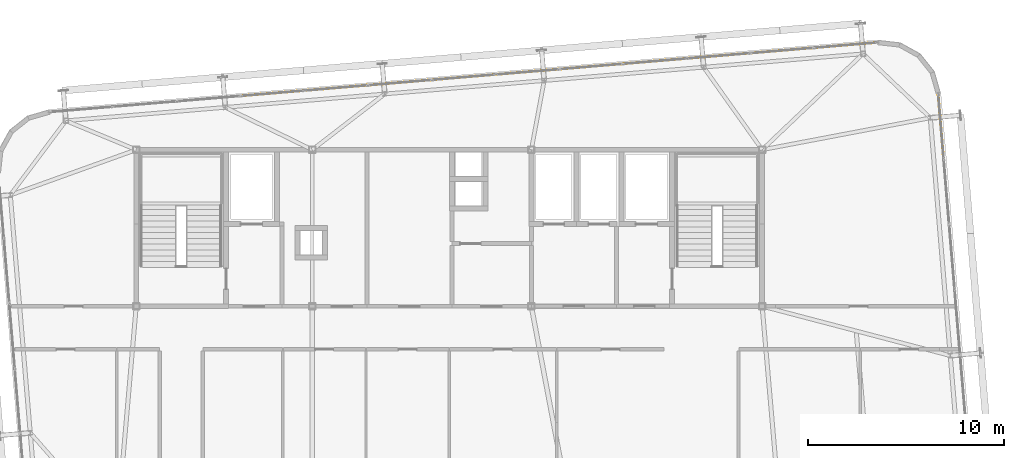
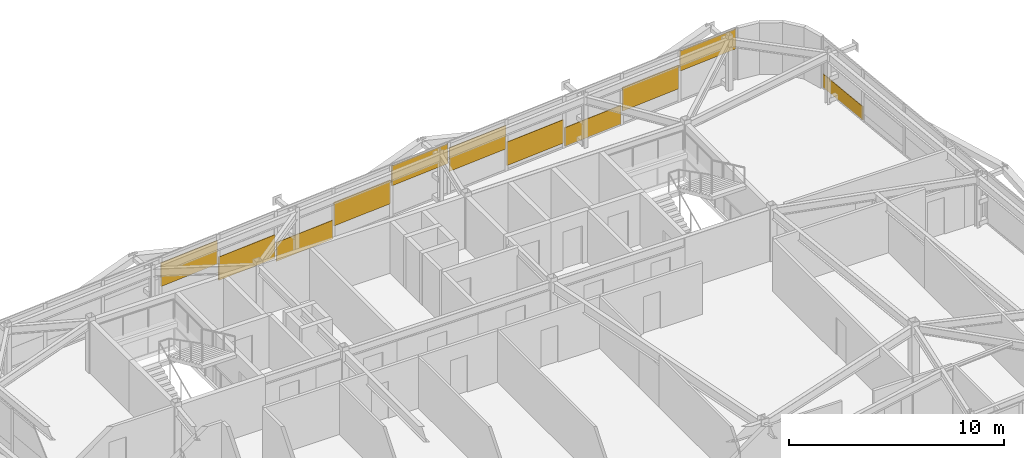
# One storey, part 44 of 44: 11 coverings.
"""IFC4 building model written with IfcOpenShell, lengths in metres."""

import ifcopenshell
import ifcopenshell.guid

model = None  # the IFC model being written
_history = None  # IfcOwnerHistory: only IFC2X3 demands one
_inside = {}  # id of a spatial element -> (the spatial element, [elements in it])
_under = {}  # id of a project, library or spatial element -> (it, [spatial elements below it])
_declared = {}  # id of a project -> (the project, [libraries it declares])
_typed = {}  # id of a type object -> (the type object, [elements of that type])
_made_of = {}  # id of a material, layer set ... -> (it, [elements and type objects made of it])


def new_model(schema):
    """Start an empty IFC model of exactly this schema.

    Asked for "IFC4X3", IfcOpenShell would pick the latest addendum, in which some entities
    have other attributes; the version numbers below select the first issue.
    IFC2X3 requires an IfcOwnerHistory on every rooted entity: one is made here for all.
    """
    global model, _history
    if schema == "IFC4X3":
        model = ifcopenshell.file(schema_version=(4, 3, 0, 0))
    else:
        model = ifcopenshell.file(schema=schema)
    _inside.clear()
    _under.clear()
    _declared.clear()
    _typed.clear()
    _made_of.clear()
    _history = None
    if model.schema == "IFC2X3":
        org = make("IfcOrganization", Name="unknown")
        user = make(
            "IfcPersonAndOrganization",
            ThePerson=make("IfcPerson", FamilyName="unknown"),
            TheOrganization=org,
        )
        app = make(
            "IfcApplication",
            ApplicationDeveloper=org,
            Version="unknown",
            ApplicationFullName="unknown",
            ApplicationIdentifier="unknown",
        )
        _history = make(
            "IfcOwnerHistory",
            OwningUser=user,
            OwningApplication=app,
            ChangeAction="ADDED",
            CreationDate=0,
        )
    return model


def make(cls, **values):
    """One entity of the class cls with the attributes given. An attribute that is None is left unset."""
    return model.create_entity(
        cls, **{name: value for name, value in values.items() if value is not None}
    )


def rooted(cls, **values):
    """An entity with a GlobalId (a new one), such as an element, a storey or a relation."""
    return make(cls, GlobalId=ifcopenshell.guid.new(), OwnerHistory=_history, **values)


def si_unit(unit_type, name, prefix=None):
    """IfcSIUnit, for example si_unit("LENGTHUNIT", "METRE", prefix="MILLI")."""
    return make("IfcSIUnit", UnitType=unit_type, Prefix=prefix, Name=name)


def assignment(units):
    """IfcUnitAssignment: the units of a project."""
    return None if units is None else make("IfcUnitAssignment", Units=units)


def point(xyz):
    """IfcCartesianPoint."""
    return None if xyz is None else make("IfcCartesianPoint", Coordinates=xyz)


def direction(xyz):
    """IfcDirection."""
    return None if xyz is None else make("IfcDirection", DirectionRatios=xyz)


def frame(location, z_axis=None, x_axis=None):
    """IfcAxis2Placement3D, a coordinate frame: its origin and axes. An axis left out is left unset."""
    return make(
        "IfcAxis2Placement3D",
        Location=point(location),
        Axis=direction(z_axis),
        RefDirection=direction(x_axis),
    )


def frame_2d(location, x_axis=None):
    """IfcAxis2Placement2D, a coordinate frame in the plane: its origin and x axis."""
    return make(
        "IfcAxis2Placement2D", Location=point(location), RefDirection=direction(x_axis)
    )


def origin():
    """The frame at (0, 0, 0) with its axes left unset."""
    return frame((0.0, 0.0, 0.0))


def origin_2d():
    """The frame at (0, 0) in the plane with its x axis left unset."""
    return frame_2d((0.0, 0.0))


def place(relative_to, where):
    """IfcLocalPlacement: puts the frame where relative to a parent placement (None: the world)."""
    return make(
        "IfcLocalPlacement", PlacementRelTo=relative_to, RelativePlacement=where
    )


def context(
    kind, dimensions, precision=None, world=None, true_north=None, identifier=None
):
    """IfcGeometricRepresentationContext, for example the 3D "Model" context."""
    return make(
        "IfcGeometricRepresentationContext",
        ContextIdentifier=identifier,
        ContextType=kind,
        CoordinateSpaceDimension=dimensions,
        Precision=precision,
        WorldCoordinateSystem=world,
        TrueNorth=true_north,
    )


def subcontext(parent, identifier, kind, view, scale=None):
    """IfcGeometricRepresentationSubContext, for example "Body" below "Model"."""
    return make(
        "IfcGeometricRepresentationSubContext",
        ContextIdentifier=identifier,
        ContextType=kind,
        ParentContext=parent,
        TargetScale=scale,
        TargetView=view,
    )


def project(units=None, contexts=None):
    """IfcProject with its units and contexts."""
    return rooted(
        "IfcProject",
        Name="project",
        RepresentationContexts=contexts,
        UnitsInContext=assignment(units),
    )


def spatial(cls, under=None, at=None, **own):
    """A site, building, storey or space (cls), placed at a placement, below another one or the project."""
    s = rooted(cls, ObjectPlacement=at, **own)
    if under is not None:
        _under.setdefault(under.id(), (under, []))[1].append(s)
    return s


def profile(cls, at=None, kind="AREA", **sizes):
    """A parametric profile (cls). Its sizes go by their IFC names, for example OverallWidth=200.0."""
    return make(cls, ProfileType=kind, Position=at, **sizes)


def rectangle(**sizes):
    """IfcRectangleProfileDef."""
    return profile("IfcRectangleProfileDef", **sizes)


def extrude(swept, where, along, depth):
    """IfcExtrudedAreaSolid: the profile swept, set in the frame where, extruded along a direction by depth."""
    return make(
        "IfcExtrudedAreaSolid",
        SweptArea=swept,
        Position=where,
        ExtrudedDirection=direction(along),
        Depth=depth,
    )


def shape(context_of_items, identifier, shape_type, items):
    """IfcShapeRepresentation: the items that make up one representation, for example the "Body"."""
    return make(
        "IfcShapeRepresentation",
        ContextOfItems=context_of_items,
        RepresentationIdentifier=identifier,
        RepresentationType=shape_type,
        Items=items,
    )


def source(mapping_origin, context_of_items, identifier, shape_type, items):
    """IfcRepresentationMap: a shape defined once, which mapped items show again and again."""
    return make(
        "IfcRepresentationMap",
        MappingOrigin=mapping_origin,
        MappedRepresentation=shape(context_of_items, identifier, shape_type, items),
    )


def transform(
    local_origin,
    x_axis=None,
    y_axis=None,
    z_axis=None,
    scale=None,
    scale2=None,
    scale3=None,
    uniform=True,
):
    """IfcCartesianTransformationOperator3D, or its non-uniform kind. x_axis, y_axis, z_axis: its Axis1, 2, 3."""
    if uniform:
        return make(
            "IfcCartesianTransformationOperator3D",
            Axis1=direction(x_axis),
            Axis2=direction(y_axis),
            LocalOrigin=point(local_origin),
            Scale=scale,
            Axis3=direction(z_axis),
        )
    return make(
        "IfcCartesianTransformationOperator3DnonUniform",
        Axis1=direction(x_axis),
        Axis2=direction(y_axis),
        LocalOrigin=point(local_origin),
        Scale=scale,
        Axis3=direction(z_axis),
        Scale2=scale2,
        Scale3=scale3,
    )


def mapped(mapping_source, mapping_target):
    """IfcMappedItem: shows the shape of a source again, moved by a transform."""
    return make(
        "IfcMappedItem", MappingSource=mapping_source, MappingTarget=mapping_target
    )


def material(Name=None, Category=None):
    """IfcMaterial."""
    return make("IfcMaterial", Name=Name, Category=Category)


def layer(
    of_material, thickness, ventilated=None, Name=None, Category=None, Priority=None
):
    """IfcMaterialLayer: one layer of a wall or slab, of a material (None: an air gap)."""
    return make(
        "IfcMaterialLayer",
        Material=of_material,
        LayerThickness=thickness,
        IsVentilated=ventilated,
        Name=Name,
        Category=Category,
        Priority=Priority,
    )


def layer_set(layers, Name=None):
    """IfcMaterialLayerSet."""
    return make("IfcMaterialLayerSet", MaterialLayers=layers, LayerSetName=Name)


def made_of(thing, what):
    """Note that an element or type object is made of a material, layer set ...; save() writes the relation."""
    if what is not None:
        _made_of.setdefault(what.id(), (what, []))[1].append(thing)
    return thing


def type_object(cls, material=None, **own):
    """A type object (cls), such as IfcWallType, which elements share."""
    return made_of(rooted(cls, **own), material)


def element(
    cls,
    number,
    at=None,
    inside=None,
    cuts=None,
    type_object=None,
    material=None,
    context=None,
    identifier="Body",
    shape_type=None,
    held_by="IfcProductDefinitionShape",
    body=None,
    shapes=None,
    **own,
):
    """One element of the class cls, such as IfcWall. Its Tag is "e" and its number.

    at: its placement. inside: the storey or other place that contains it. cuts: it is an
    opening in that element (IfcRelVoidsElement). A single representation is given by context,
    identifier, shape_type and body (its items); several are given by shapes. held_by: the class
    of the entity that holds the representations. save() writes the other relations.
    """
    e = rooted(cls, Tag="e%d" % number, ObjectPlacement=at, **own)
    if body is not None:
        shapes = [shape(context, identifier, shape_type, body)]
    if shapes is not None:
        e.Representation = make(held_by, Representations=shapes)
    if inside is not None:
        _inside.setdefault(inside.id(), (inside, []))[1].append(e)
    if cuts is not None:
        rooted(
            "IfcRelVoidsElement", RelatingBuildingElement=cuts, RelatedOpeningElement=e
        )
    if type_object is not None:
        _typed.setdefault(type_object.id(), (type_object, []))[1].append(e)
    return made_of(e, material)


def aggregate(whole, parts):
    """IfcRelAggregates: a whole, such as a stair, and the parts it consists of."""
    return rooted("IfcRelAggregates", RelatingObject=whole, RelatedObjects=parts)


def save(model, path):
    """Write the relations noted so far, then the file.

    IfcRelAggregates (storeys below a building ...), IfcRelContainedInSpatialStructure (elements
    in a storey), IfcRelDefinesByType, IfcRelAssociatesMaterial and IfcRelDeclares: one each for
    every whole, place, type object, material and project.
    """
    for whole, parts in _under.values():
        aggregate(whole, parts)
    for where, things in _inside.values():
        rooted(
            "IfcRelContainedInSpatialStructure",
            RelatedElements=things,
            RelatingStructure=where,
        )
    for kind, things in _typed.values():
        rooted("IfcRelDefinesByType", RelatedObjects=things, RelatingType=kind)
    for what, things in _made_of.values():
        rooted("IfcRelAssociatesMaterial", RelatedObjects=things, RelatingMaterial=what)
    for by, libraries in _declared.values():
        rooted("IfcRelDeclares", RelatingContext=by, RelatedDefinitions=libraries)
    model.write(path)


model = new_model("IFC4")

# Units and contexts
model_context = context("Model", 3, precision=1e-05, world=origin(), true_north=direction((0.0, 1.0)))
body_context = subcontext(model_context, "Body", "Model", "MODEL_VIEW")
ifc_project = project(units=[si_unit("LENGTHUNIT", "METRE"), si_unit("AREAUNIT", "SQUARE_METRE"), si_unit("VOLUMEUNIT", "CUBIC_METRE"), si_unit("PLANEANGLEUNIT", "RADIAN"), si_unit("MASSUNIT", "GRAM", prefix="KILO")], contexts=[model_context])

# Site, building, storey
site_placement = place(None, origin())
site = spatial("IfcSite", under=ifc_project, at=site_placement, CompositionType="ELEMENT")
building_placement = place(site_placement, origin())
building = spatial("IfcBuilding", under=site, at=building_placement, Name="Taldren Reach Tower", CompositionType="ELEMENT")
storey_placement = place(building_placement, frame((0.0, 0.0, 191.449951171875)))
storey = spatial("IfcBuildingStorey", under=building, at=storey_placement, Name="L58", CompositionType="ELEMENT", Elevation=191.449951171875)

# Coverings
ifc_material = material(Name="Pale Champagne Fluoropolymer Aluminium Spandrel Cladding", Category="aluminium")
ifc_layer = layer(ifc_material, 0.0439453125)
ifc_layer_set = layer_set([ifc_layer], Name="Pale Champagne Fluoropolymer Aluminium Spandrel Cladding")
covering_type = type_object("IfcCoveringType", Name="CV-CLAD-044", PredefinedType="CLADDING", material=ifc_layer_set)
shared_shape_1 = source(origin(), body_context, "Body", "SweptSolid", [
    extrude(rectangle(XDim=3.19921875, YDim=0.0439453125, at=origin_2d()), origin(), (0.0, 0.0, 1.0), 1.3359375),
])
for number, where, z_axis, x_axis, name in (
    (1, (52.0283203125, 37.07080078125, 0.762939453125), (0.0, 0.0, 1.0), (-0.99649285657, -0.083677875247, 0.0), "Diagrid closure cladding strip CW-5 panel 2.1 1"),
    (2, (45.5126953125, 36.523681640625, 0.283447265625), (0.0, 0.0, 1.0), (-0.99649285657, -0.083677875247, 0.0), "Diagrid closure cladding strip CW-5 panel 4.1 1"),
    (3, (42.2548828125, 36.25, 1.254638671875), (0.0, 0.0, 1.0), (-0.99649285657, -0.083677875247, 0.0), "Diagrid closure cladding strip CW-5 panel 5.1 1"),
    (4, (35.739501953125, 35.702880859375, 0.76708984375), (0.0, 0.0, 1.0), (-0.99649285657, -0.083677875247, 0.0), "Diagrid closure cladding strip CW-5 panel 7.1 1"),
    (5, (29.223876953125, 35.15576171875, 0.279541015625), (0.0, 0.0, 1.0), (-0.99649285657, -0.083677875247, 0.0), "Diagrid closure cladding strip CW-5 panel 9.1 1"),
    (6, (25.966064453125, 34.88232421875, 1.250732421875), (0.0, 0.0, 1.0), (-0.99649285657, -0.083677875247, 0.0), "Diagrid closure cladding strip CW-5 panel 10.1 1"),
):
    element("IfcCovering", number, at=place(storey_placement, frame(where, z_axis=z_axis, x_axis=x_axis)), inside=storey, type_object=covering_type, Name=name, PredefinedType="CLADDING", context=body_context, shape_type="MappedRepresentation", body=[
        mapped(shared_shape_1, transform((0.0, 0.0, 0.0), scale=1.0)),
    ])
shared_shape_2 = source(origin(), body_context, "Body", "SweptSolid", [
    extrude(rectangle(XDim=3.19921875, YDim=0.0439453125, at=origin_2d()), origin(), (0.0, 0.0, 1.0), 1.07177734375),
])
covering_1_placement = place(storey_placement, frame((32.481689453125, 35.429443359375, 0.06005859375), z_axis=(0.0, 0.0, 1.0), x_axis=(-0.99649285657, -0.083677875247, 0.0)))
element("IfcCovering", 7, at=covering_1_placement, inside=storey, type_object=covering_type, Name="Diagrid closure cladding strip CW-5 panel 8.1 1", PredefinedType="CLADDING", context=body_context, shape_type="MappedRepresentation", body=[
    mapped(shared_shape_2, transform((0.0, 0.0, 0.0), scale=1.0)),
])
shared_shape_3 = source(origin(), body_context, "Body", "SweptSolid", [
    extrude(rectangle(XDim=3.19921875, YDim=0.0439453125, at=origin_2d()), origin(), (0.0, 0.0, 1.0), 1.1318359375),
])
covering_2_placement = place(storey_placement, frame((38.9970703125, 35.9765625, 1.73828125), z_axis=(0.0, 0.0, 1.0), x_axis=(-0.99649285657, -0.083677875247, 0.0)))
element("IfcCovering", 8, at=covering_2_placement, inside=storey, type_object=covering_type, Name="Diagrid closure cladding strip CW-5 panel 6.1 1", PredefinedType="CLADDING", context=body_context, shape_type="MappedRepresentation", body=[
    mapped(shared_shape_3, transform((0.0, 0.0, 0.0), scale=1.0)),
])
shared_shape_4 = source(origin(), body_context, "Body", "SweptSolid", [
    extrude(rectangle(XDim=3.19921875, YDim=0.0439453125, at=origin_2d()), origin(), (0.0, 0.0, 1.0), 1.067626953125),
])
covering_3_placement = place(storey_placement, frame((48.7705078125, 36.797119140625, 0.06005859375), z_axis=(0.0, 0.0, 1.0), x_axis=(-0.99649285657, -0.083677875247, 0.0)))
element("IfcCovering", 9, at=covering_3_placement, inside=storey, type_object=covering_type, Name="Diagrid closure cladding strip CW-5 panel 3.1 1", PredefinedType="CLADDING", context=body_context, shape_type="MappedRepresentation", body=[
    mapped(shared_shape_4, transform((0.0, 0.0, 0.0), scale=1.0)),
])
shared_shape_5 = source(origin(), body_context, "Body", "SweptSolid", [
    extrude(rectangle(XDim=3.164306640625, YDim=0.0439453125, at=origin_2d()), origin(), (0.0, 0.0, 1.0), 1.135986328125),
])
covering_4_placement = place(storey_placement, frame((55.2685546875, 37.3427734375, 1.73388671875), z_axis=(0.0, 0.0, 1.0), x_axis=(-0.99649285657, -0.083677875247, 0.0)))
element("IfcCovering", 10, at=covering_4_placement, inside=storey, type_object=covering_type, Name="Diagrid closure cladding strip CW-5 panel 1.1 1", PredefinedType="CLADDING", context=body_context, shape_type="MappedRepresentation", body=[
    mapped(shared_shape_5, transform((0.0, 0.0, 0.0), scale=1.0)),
])
shared_shape_6 = source(origin(), body_context, "Body", "SweptSolid", [
    extrude(rectangle(XDim=3.2451171875, YDim=0.0439453125, at=origin_2d()), origin(), (0.0, 0.0, 1.0), 0.769775390625),
])
covering_5_placement = place(storey_placement, frame((60.145751953125, 33.183837890625, 0.06005859375), z_axis=(0.0, 0.0, 1.0), x_axis=(-0.083677979808, 0.996492847789, 0.0)))
element("IfcCovering", 11, at=covering_5_placement, inside=storey, type_object=covering_type, Name="Diagrid closure cladding strip CW-5 panel 8.1 1", PredefinedType="CLADDING", context=body_context, shape_type="MappedRepresentation", body=[
    mapped(shared_shape_6, transform((0.0, 0.0, 0.0), scale=1.0)),
])

save(model, "model.ifc")
